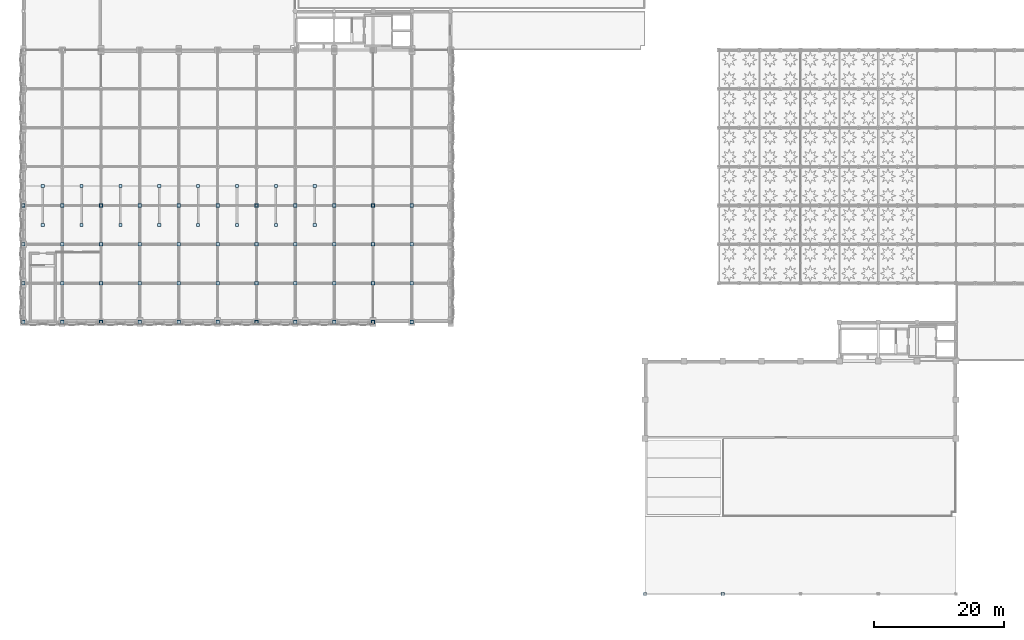
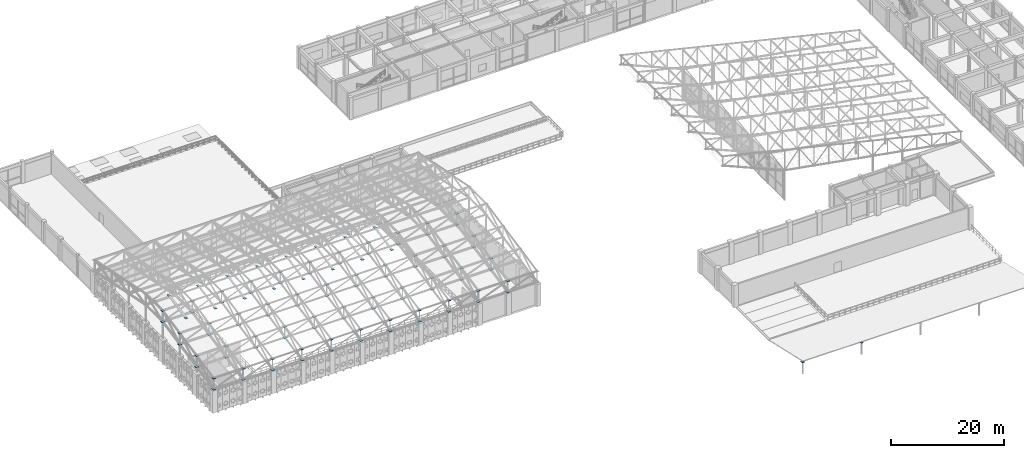
# One storey, part 86 of 112: 106 plates.
"""IFC4 building model written with IfcOpenShell, lengths in metres."""

from ifc_helpers import new_model, si_unit, direction, frame, origin, origin_2d, place, context, subcontext, project, spatial, rectangle, extrude, material, layer, layer_set, type_object, element, save


model = new_model("IFC4")

# Units and contexts
model_context = context("Model", 3, precision=1e-05, world=origin(), true_north=direction((0.0, 1.0)))
body_context = subcontext(model_context, "Body", "Model", "MODEL_VIEW")
ifc_project = project(units=[si_unit("LENGTHUNIT", "METRE"), si_unit("AREAUNIT", "SQUARE_METRE"), si_unit("VOLUMEUNIT", "CUBIC_METRE"), si_unit("PLANEANGLEUNIT", "RADIAN"), si_unit("MASSUNIT", "GRAM", prefix="KILO"), si_unit("THERMODYNAMICTEMPERATUREUNIT", "KELVIN"), si_unit("POWERUNIT", "WATT")], contexts=[model_context])

# Site, building, storey
site_placement = place(None, origin())
site = spatial("IfcSite", under=ifc_project, at=site_placement, CompositionType="ELEMENT")
building_placement = place(site_placement, origin())
building = spatial("IfcBuilding", under=site, at=building_placement, Name="Phaisarnlok Congress Hotel", CompositionType="ELEMENT")
storey_placement = place(building_placement, frame((0.0, 0.0, 19.800048828125)))
storey = spatial("IfcBuildingStorey", under=building, at=storey_placement, Name="L04", CompositionType="ELEMENT", Elevation=19.800048828125)

# Plates
ifc_material = material(Name="Steel S355", Category="steel")
ifc_layer_1 = layer(ifc_material, 0.02001953125, Name="Steel S355")
ifc_layer_set_1 = layer_set([ifc_layer_1], Name="Steel S355")
plate_type_1 = type_object("IfcPlateType", Name="PLT-NODE-480", PredefinedType="SHEET", material=ifc_layer_set_1)
for number, where, z_axis, x_axis, name in (
    (1, (96.0, 0.0, 2.550048828125), (0.0, 0.0, 1.0), (1.0, 0.0, 0.0), "Steel truss node plate NP-03 at NP-V2PR-96"),
    (2, (108.0, 0.0, 2.550048828125), (0.0, 0.0, 1.0), (1.0, 0.0, 0.0), "Steel truss node plate NP-03 at NP-V2PR-108"),
    (3, (3.0, 57.0, 10.041748046875), (0.0, 0.0, 1.0), (1.0, 0.0, 0.0), "Steel truss node plate NP-03 at NP-RHSPUR-00-A"),
    (4, (3.0, 63.0, 11.262451171875), (0.0, 0.0, 1.0), (1.0, 0.0, 0.0), "Steel truss node plate NP-03 at NP-RHSPUR-00-B"),
    (5, (9.0, 57.0, 10.041748046875), (0.0, 0.0, 1.0), (1.0, 0.0, 0.0), "Steel truss node plate NP-03 at NP-RHSPUR-01-A"),
    (6, (9.0, 63.0, 11.262451171875), (0.0, 0.0, 1.0), (1.0, 0.0, 0.0), "Steel truss node plate NP-03 at NP-RHSPUR-01-B"),
    (7, (15.0, 57.0, 10.041748046875), (0.0, 0.0, 1.0), (1.0, 0.0, 0.0), "Steel truss node plate NP-03 at NP-RHSPUR-02-A"),
    (8, (15.0, 63.0, 11.262451171875), (0.0, 0.0, 1.0), (1.0, 0.0, 0.0), "Steel truss node plate NP-03 at NP-RHSPUR-02-B"),
    (9, (21.0, 57.0, 10.041748046875), (0.0, 0.0, 1.0), (1.0, 0.0, 0.0), "Steel truss node plate NP-03 at NP-RHSPUR-03-A"),
    (10, (21.0, 63.0, 11.262451171875), (0.0, 0.0, 1.0), (1.0, 0.0, 0.0), "Steel truss node plate NP-03 at NP-RHSPUR-03-B"),
    (11, (27.0, 57.0, 10.041748046875), (0.0, 0.0, 1.0), (1.0, 0.0, 0.0), "Steel truss node plate NP-03 at NP-RHSPUR-04-A"),
    (12, (27.0, 63.0, 11.262451171875), (0.0, 0.0, 1.0), (1.0, 0.0, 0.0), "Steel truss node plate NP-03 at NP-RHSPUR-04-B"),
    (13, (33.0, 57.0, 10.041748046875), (0.0, 0.0, 1.0), (1.0, 0.0, 0.0), "Steel truss node plate NP-03 at NP-RHSPUR-05-A"),
    (14, (33.0, 63.0, 11.262451171875), (0.0, 0.0, 1.0), (1.0, 0.0, 0.0), "Steel truss node plate NP-03 at NP-RHSPUR-05-B"),
    (15, (39.0, 57.0, 10.041748046875), (0.0, 0.0, 1.0), (1.0, 0.0, 0.0), "Steel truss node plate NP-03 at NP-RHSPUR-06-A"),
    (16, (39.0, 63.0, 11.262451171875), (0.0, 0.0, 1.0), (1.0, 0.0, 0.0), "Steel truss node plate NP-03 at NP-RHSPUR-06-B"),
    (17, (45.0, 57.0, 10.041748046875), (0.0, 0.0, 1.0), (1.0, 0.0, 0.0), "Steel truss node plate NP-03 at NP-RHSPUR-07-A"),
    (18, (45.0, 63.0, 11.262451171875), (0.0, 0.0, 1.0), (1.0, 0.0, 0.0), "Steel truss node plate NP-03 at NP-RHSPUR-07-B"),
):
    element("IfcPlate", number, at=place(storey_placement, frame(where, z_axis=z_axis, x_axis=x_axis)), inside=storey, type_object=plate_type_1, Name=name, PredefinedType="SHEET", context=body_context, shape_type="SweptSolid", body=[
        extrude(rectangle(XDim=0.47998046875, YDim=0.47998046875, at=origin_2d()), origin(), (0.0, 0.0, 1.0), 0.02001953125),
    ])
ifc_layer_2 = layer(ifc_material, 0.02490234375, Name="Steel S355")
ifc_layer_set_2 = layer_set([ifc_layer_2], Name="Steel S355")
plate_type_2 = type_object("IfcPlateType", Name="PLT-NODE-520", PredefinedType="SHEET", material=ifc_layer_set_2)
for number, where, z_axis, x_axis, name in (
    (19, (0.0, 42.0, 7.1875), (0.0, 0.0, 1.0), (1.0, 0.0, 0.0), "Steel truss node plate NP-02 at NP-SFT-00-00"),
    (20, (0.0, 48.0, 8.408203125), (0.0, 0.0, 1.0), (1.0, 0.0, 0.0), "Steel truss node plate NP-02 at NP-SFT-00-01"),
    (21, (0.0, 54.0, 9.62890625), (0.0, 0.0, 1.0), (1.0, 0.0, 0.0), "Steel truss node plate NP-02 at NP-SFT-00-02"),
    (22, (0.0, 60.0, 10.849609375), (0.0, 0.0, 1.0), (1.0, 0.0, 0.0), "Steel truss node plate NP-02 at NP-SFT-00-03"),
    (23, (6.0, 42.0, 7.1875), (0.0, 0.0, 1.0), (1.0, 0.0, 0.0), "Steel truss node plate NP-02 at NP-SFT-01-00"),
    (24, (6.0, 48.0, 8.408203125), (0.0, 0.0, 1.0), (1.0, 0.0, 0.0), "Steel truss node plate NP-02 at NP-SFT-01-01"),
    (25, (6.0, 54.0, 9.62890625), (0.0, 0.0, 1.0), (1.0, 0.0, 0.0), "Steel truss node plate NP-02 at NP-SFT-01-02"),
    (26, (6.0, 60.0, 10.849609375), (0.0, 0.0, 1.0), (1.0, 0.0, 0.0), "Steel truss node plate NP-02 at NP-SFT-01-03"),
    (27, (12.0, 42.0, 7.1875), (0.0, 0.0, 1.0), (1.0, 0.0, 0.0), "Steel truss node plate NP-02 at NP-SFT-02-00"),
    (28, (12.0, 48.0, 8.408203125), (0.0, 0.0, 1.0), (1.0, 0.0, 0.0), "Steel truss node plate NP-02 at NP-SFT-02-01"),
    (29, (12.0, 54.0, 9.62890625), (0.0, 0.0, 1.0), (1.0, 0.0, 0.0), "Steel truss node plate NP-02 at NP-SFT-02-02"),
    (30, (12.0, 60.0, 10.849609375), (0.0, 0.0, 1.0), (1.0, 0.0, 0.0), "Steel truss node plate NP-02 at NP-SFT-02-03"),
    (31, (18.0, 42.0, 7.1875), (0.0, 0.0, 1.0), (1.0, 0.0, 0.0), "Steel truss node plate NP-02 at NP-SFT-03-00"),
    (32, (18.0, 48.0, 8.408203125), (0.0, 0.0, 1.0), (1.0, 0.0, 0.0), "Steel truss node plate NP-02 at NP-SFT-03-01"),
    (33, (18.0, 54.0, 9.62890625), (0.0, 0.0, 1.0), (1.0, 0.0, 0.0), "Steel truss node plate NP-02 at NP-SFT-03-02"),
    (34, (18.0, 60.0, 10.849609375), (0.0, 0.0, 1.0), (1.0, 0.0, 0.0), "Steel truss node plate NP-02 at NP-SFT-03-03"),
    (35, (24.0, 42.0, 7.1875), (0.0, 0.0, 1.0), (1.0, 0.0, 0.0), "Steel truss node plate NP-02 at NP-SFT-04-00"),
    (36, (24.0, 48.0, 8.408203125), (0.0, 0.0, 1.0), (1.0, 0.0, 0.0), "Steel truss node plate NP-02 at NP-SFT-04-01"),
    (37, (24.0, 54.0, 9.62890625), (0.0, 0.0, 1.0), (1.0, 0.0, 0.0), "Steel truss node plate NP-02 at NP-SFT-04-02"),
    (38, (24.0, 60.0, 10.849609375), (0.0, 0.0, 1.0), (1.0, 0.0, 0.0), "Steel truss node plate NP-02 at NP-SFT-04-03"),
    (39, (30.0, 42.0, 7.1875), (0.0, 0.0, 1.0), (1.0, 0.0, 0.0), "Steel truss node plate NP-02 at NP-SFT-05-00"),
    (40, (30.0, 48.0, 8.408203125), (0.0, 0.0, 1.0), (1.0, 0.0, 0.0), "Steel truss node plate NP-02 at NP-SFT-05-01"),
    (41, (30.0, 54.0, 9.62890625), (0.0, 0.0, 1.0), (1.0, 0.0, 0.0), "Steel truss node plate NP-02 at NP-SFT-05-02"),
    (42, (30.0, 60.0, 10.849609375), (0.0, 0.0, 1.0), (1.0, 0.0, 0.0), "Steel truss node plate NP-02 at NP-SFT-05-03"),
    (43, (36.0, 42.0, 7.1875), (0.0, 0.0, 1.0), (1.0, 0.0, 0.0), "Steel truss node plate NP-02 at NP-SFT-06-00"),
    (44, (36.0, 48.0, 8.408203125), (0.0, 0.0, 1.0), (1.0, 0.0, 0.0), "Steel truss node plate NP-02 at NP-SFT-06-01"),
    (45, (36.0, 54.0, 9.62890625), (0.0, 0.0, 1.0), (1.0, 0.0, 0.0), "Steel truss node plate NP-02 at NP-SFT-06-02"),
    (46, (36.0, 60.0, 10.849609375), (0.0, 0.0, 1.0), (1.0, 0.0, 0.0), "Steel truss node plate NP-02 at NP-SFT-06-03"),
    (47, (42.0, 42.0, 7.1875), (0.0, 0.0, 1.0), (1.0, 0.0, 0.0), "Steel truss node plate NP-02 at NP-SFT-07-00"),
    (48, (42.0, 48.0, 8.408203125), (0.0, 0.0, 1.0), (1.0, 0.0, 0.0), "Steel truss node plate NP-02 at NP-SFT-07-01"),
    (49, (42.0, 54.0, 9.62890625), (0.0, 0.0, 1.0), (1.0, 0.0, 0.0), "Steel truss node plate NP-02 at NP-SFT-07-02"),
    (50, (42.0, 60.0, 10.849609375), (0.0, 0.0, 1.0), (1.0, 0.0, 0.0), "Steel truss node plate NP-02 at NP-SFT-07-03"),
    (51, (48.0, 42.0, 7.1875), (0.0, 0.0, 1.0), (1.0, 0.0, 0.0), "Steel truss node plate NP-02 at NP-SFT-08-00"),
    (52, (48.0, 48.0, 8.408203125), (0.0, 0.0, 1.0), (1.0, 0.0, 0.0), "Steel truss node plate NP-02 at NP-SFT-08-01"),
    (53, (48.0, 54.0, 9.62890625), (0.0, 0.0, 1.0), (1.0, 0.0, 0.0), "Steel truss node plate NP-02 at NP-SFT-08-02"),
    (54, (48.0, 60.0, 10.849609375), (0.0, 0.0, 1.0), (1.0, 0.0, 0.0), "Steel truss node plate NP-02 at NP-SFT-08-03"),
    (55, (54.0, 42.0, 7.1875), (0.0, 0.0, 1.0), (1.0, 0.0, 0.0), "Steel truss node plate NP-02 at NP-SFT-09-00"),
    (56, (54.0, 48.0, 8.408203125), (0.0, 0.0, 1.0), (1.0, 0.0, 0.0), "Steel truss node plate NP-02 at NP-SFT-09-01"),
    (57, (54.0, 54.0, 9.62890625), (0.0, 0.0, 1.0), (1.0, 0.0, 0.0), "Steel truss node plate NP-02 at NP-SFT-09-02"),
    (58, (54.0, 60.0, 10.849609375), (0.0, 0.0, 1.0), (1.0, 0.0, 0.0), "Steel truss node plate NP-02 at NP-SFT-09-03"),
    (59, (60.0, 42.0, 7.1875), (0.0, 0.0, 1.0), (1.0, 0.0, 0.0), "Steel truss node plate NP-02 at NP-SFT-10-00"),
    (60, (60.0, 48.0, 8.408203125), (0.0, 0.0, 1.0), (1.0, 0.0, 0.0), "Steel truss node plate NP-02 at NP-SFT-10-01"),
    (61, (60.0, 54.0, 9.62890625), (0.0, 0.0, 1.0), (1.0, 0.0, 0.0), "Steel truss node plate NP-02 at NP-SFT-10-02"),
    (62, (60.0, 60.0, 10.849609375), (0.0, 0.0, 1.0), (1.0, 0.0, 0.0), "Steel truss node plate NP-02 at NP-SFT-10-03"),
):
    element("IfcPlate", number, at=place(storey_placement, frame(where, z_axis=z_axis, x_axis=x_axis)), inside=storey, type_object=plate_type_2, Name=name, PredefinedType="SHEET", context=body_context, shape_type="SweptSolid", body=[
        extrude(rectangle(XDim=0.52001953125, YDim=0.52001953125, at=origin_2d()), origin(), (0.0, 0.0, 1.0), 0.02490234375),
    ])
ifc_layer_3 = layer(ifc_material, 0.030029296875, Name="Steel S355")
ifc_layer_set_3 = layer_set([ifc_layer_3], Name="Steel S355")
plate_type_3 = type_object("IfcPlateType", Name="PLT-NODE-560", PredefinedType="SHEET", material=ifc_layer_set_3)
for number, where, z_axis, x_axis, name in (
    (63, (0.0, 42.0, 4.78515625), (0.0, 0.0, 1.0), (1.0, 0.0, 0.0), "Steel truss node plate NP-01 at NP-SFB-00-00"),
    (64, (0.0, 48.0, 6.005859375), (0.0, 0.0, 1.0), (1.0, 0.0, 0.0), "Steel truss node plate NP-01 at NP-SFB-00-01"),
    (65, (0.0, 54.0, 7.2265625), (0.0, 0.0, 1.0), (1.0, 0.0, 0.0), "Steel truss node plate NP-01 at NP-SFB-00-02"),
    (66, (0.0, 60.0, 8.447265625), (0.0, 0.0, 1.0), (1.0, 0.0, 0.0), "Steel truss node plate NP-01 at NP-SFB-00-03"),
    (67, (6.0, 42.0, 4.78515625), (0.0, 0.0, 1.0), (1.0, 0.0, 0.0), "Steel truss node plate NP-01 at NP-SFB-01-00"),
    (68, (6.0, 48.0, 6.005859375), (0.0, 0.0, 1.0), (1.0, 0.0, 0.0), "Steel truss node plate NP-01 at NP-SFB-01-01"),
    (69, (6.0, 54.0, 7.2265625), (0.0, 0.0, 1.0), (1.0, 0.0, 0.0), "Steel truss node plate NP-01 at NP-SFB-01-02"),
    (70, (6.0, 60.0, 8.447265625), (0.0, 0.0, 1.0), (1.0, 0.0, 0.0), "Steel truss node plate NP-01 at NP-SFB-01-03"),
    (71, (12.0, 42.0, 4.78515625), (0.0, 0.0, 1.0), (1.0, 0.0, 0.0), "Steel truss node plate NP-01 at NP-SFB-02-00"),
    (72, (12.0, 48.0, 6.005859375), (0.0, 0.0, 1.0), (1.0, 0.0, 0.0), "Steel truss node plate NP-01 at NP-SFB-02-01"),
    (73, (12.0, 54.0, 7.2265625), (0.0, 0.0, 1.0), (1.0, 0.0, 0.0), "Steel truss node plate NP-01 at NP-SFB-02-02"),
    (74, (12.0, 60.0, 8.447265625), (0.0, 0.0, 1.0), (1.0, 0.0, 0.0), "Steel truss node plate NP-01 at NP-SFB-02-03"),
    (75, (18.0, 42.0, 4.78515625), (0.0, 0.0, 1.0), (1.0, 0.0, 0.0), "Steel truss node plate NP-01 at NP-SFB-03-00"),
    (76, (18.0, 48.0, 6.005859375), (0.0, 0.0, 1.0), (1.0, 0.0, 0.0), "Steel truss node plate NP-01 at NP-SFB-03-01"),
    (77, (18.0, 54.0, 7.2265625), (0.0, 0.0, 1.0), (1.0, 0.0, 0.0), "Steel truss node plate NP-01 at NP-SFB-03-02"),
    (78, (18.0, 60.0, 8.447265625), (0.0, 0.0, 1.0), (1.0, 0.0, 0.0), "Steel truss node plate NP-01 at NP-SFB-03-03"),
    (79, (24.0, 42.0, 4.78515625), (0.0, 0.0, 1.0), (1.0, 0.0, 0.0), "Steel truss node plate NP-01 at NP-SFB-04-00"),
    (80, (24.0, 48.0, 6.005859375), (0.0, 0.0, 1.0), (1.0, 0.0, 0.0), "Steel truss node plate NP-01 at NP-SFB-04-01"),
    (81, (24.0, 54.0, 7.2265625), (0.0, 0.0, 1.0), (1.0, 0.0, 0.0), "Steel truss node plate NP-01 at NP-SFB-04-02"),
    (82, (24.0, 60.0, 8.447265625), (0.0, 0.0, 1.0), (1.0, 0.0, 0.0), "Steel truss node plate NP-01 at NP-SFB-04-03"),
    (83, (30.0, 42.0, 4.78515625), (0.0, 0.0, 1.0), (1.0, 0.0, 0.0), "Steel truss node plate NP-01 at NP-SFB-05-00"),
    (84, (30.0, 48.0, 6.005859375), (0.0, 0.0, 1.0), (1.0, 0.0, 0.0), "Steel truss node plate NP-01 at NP-SFB-05-01"),
    (85, (30.0, 54.0, 7.2265625), (0.0, 0.0, 1.0), (1.0, 0.0, 0.0), "Steel truss node plate NP-01 at NP-SFB-05-02"),
    (86, (30.0, 60.0, 8.447265625), (0.0, 0.0, 1.0), (1.0, 0.0, 0.0), "Steel truss node plate NP-01 at NP-SFB-05-03"),
    (87, (36.0, 42.0, 4.78515625), (0.0, 0.0, 1.0), (1.0, 0.0, 0.0), "Steel truss node plate NP-01 at NP-SFB-06-00"),
    (88, (36.0, 48.0, 6.005859375), (0.0, 0.0, 1.0), (1.0, 0.0, 0.0), "Steel truss node plate NP-01 at NP-SFB-06-01"),
    (89, (36.0, 54.0, 7.2265625), (0.0, 0.0, 1.0), (1.0, 0.0, 0.0), "Steel truss node plate NP-01 at NP-SFB-06-02"),
    (90, (36.0, 60.0, 8.447265625), (0.0, 0.0, 1.0), (1.0, 0.0, 0.0), "Steel truss node plate NP-01 at NP-SFB-06-03"),
    (91, (42.0, 42.0, 4.78515625), (0.0, 0.0, 1.0), (1.0, 0.0, 0.0), "Steel truss node plate NP-01 at NP-SFB-07-00"),
    (92, (42.0, 48.0, 6.005859375), (0.0, 0.0, 1.0), (1.0, 0.0, 0.0), "Steel truss node plate NP-01 at NP-SFB-07-01"),
    (93, (42.0, 54.0, 7.2265625), (0.0, 0.0, 1.0), (1.0, 0.0, 0.0), "Steel truss node plate NP-01 at NP-SFB-07-02"),
    (94, (42.0, 60.0, 8.447265625), (0.0, 0.0, 1.0), (1.0, 0.0, 0.0), "Steel truss node plate NP-01 at NP-SFB-07-03"),
    (95, (48.0, 42.0, 4.78515625), (0.0, 0.0, 1.0), (1.0, 0.0, 0.0), "Steel truss node plate NP-01 at NP-SFB-08-00"),
    (96, (48.0, 48.0, 6.005859375), (0.0, 0.0, 1.0), (1.0, 0.0, 0.0), "Steel truss node plate NP-01 at NP-SFB-08-01"),
    (97, (48.0, 54.0, 7.2265625), (0.0, 0.0, 1.0), (1.0, 0.0, 0.0), "Steel truss node plate NP-01 at NP-SFB-08-02"),
    (98, (48.0, 60.0, 8.447265625), (0.0, 0.0, 1.0), (1.0, 0.0, 0.0), "Steel truss node plate NP-01 at NP-SFB-08-03"),
    (99, (54.0, 42.0, 4.78515625), (0.0, 0.0, 1.0), (1.0, 0.0, 0.0), "Steel truss node plate NP-01 at NP-SFB-09-00"),
    (100, (54.0, 48.0, 6.005859375), (0.0, 0.0, 1.0), (1.0, 0.0, 0.0), "Steel truss node plate NP-01 at NP-SFB-09-01"),
    (101, (54.0, 54.0, 7.2265625), (0.0, 0.0, 1.0), (1.0, 0.0, 0.0), "Steel truss node plate NP-01 at NP-SFB-09-02"),
    (102, (54.0, 60.0, 8.447265625), (0.0, 0.0, 1.0), (1.0, 0.0, 0.0), "Steel truss node plate NP-01 at NP-SFB-09-03"),
    (103, (60.0, 42.0, 4.78515625), (0.0, 0.0, 1.0), (1.0, 0.0, 0.0), "Steel truss node plate NP-01 at NP-SFB-10-00"),
    (104, (60.0, 48.0, 6.005859375), (0.0, 0.0, 1.0), (1.0, 0.0, 0.0), "Steel truss node plate NP-01 at NP-SFB-10-01"),
    (105, (60.0, 54.0, 7.2265625), (0.0, 0.0, 1.0), (1.0, 0.0, 0.0), "Steel truss node plate NP-01 at NP-SFB-10-02"),
    (106, (60.0, 60.0, 8.447265625), (0.0, 0.0, 1.0), (1.0, 0.0, 0.0), "Steel truss node plate NP-01 at NP-SFB-10-03"),
):
    element("IfcPlate", number, at=place(storey_placement, frame(where, z_axis=z_axis, x_axis=x_axis)), inside=storey, type_object=plate_type_3, Name=name, PredefinedType="SHEET", context=body_context, shape_type="SweptSolid", body=[
        extrude(rectangle(XDim=0.56005859375, YDim=0.56005859375, at=origin_2d()), origin(), (0.0, 0.0, 1.0), 0.030029296875),
    ])

save(model, "model.ifc")
